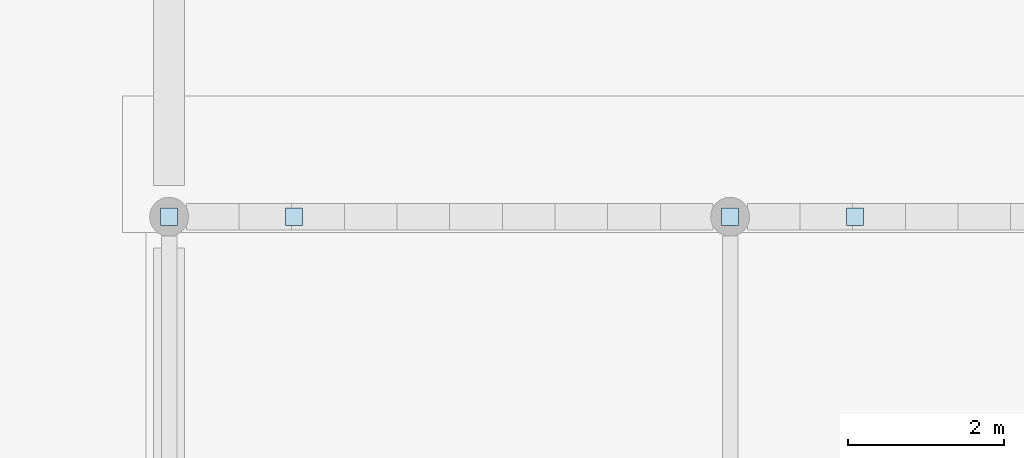
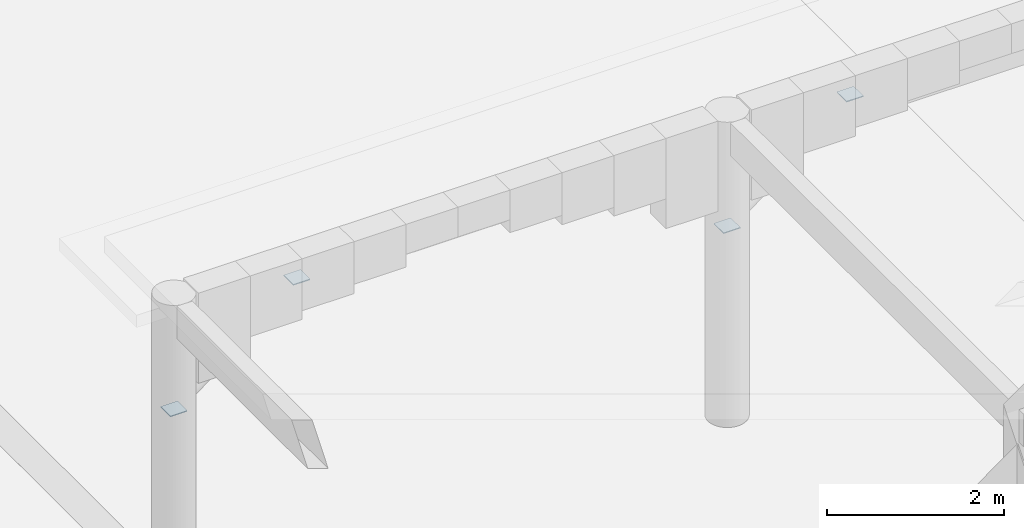
# One storey, part 51 of 85: 4 plates.
"""IFC4 building model written with IfcOpenShell, lengths in metres."""

from ifc_helpers import new_model, si_unit, direction, frame, origin, origin_2d, place, context, subcontext, project, spatial, rectangle, extrude, material, layer, layer_set, type_object, element, save


model = new_model("IFC4")

# Units and contexts
model_context = context("Model", 3, precision=1e-05, world=origin(), true_north=direction((0.0, 1.0)))
body_context = subcontext(model_context, "Body", "Model", "MODEL_VIEW")
ifc_project = project(units=[si_unit("LENGTHUNIT", "METRE"), si_unit("AREAUNIT", "SQUARE_METRE"), si_unit("VOLUMEUNIT", "CUBIC_METRE"), si_unit("PLANEANGLEUNIT", "RADIAN"), si_unit("MASSUNIT", "GRAM", prefix="KILO")], contexts=[model_context])

# Site, building, storey
site_placement = place(None, origin())
site = spatial("IfcSite", under=ifc_project, at=site_placement, CompositionType="ELEMENT")
building_placement = place(site_placement, origin())
building = spatial("IfcBuilding", under=site, at=building_placement, Name="Sardonyx Promenade Sports Hall", CompositionType="ELEMENT")
storey_placement = place(building_placement, origin())
storey = spatial("IfcBuildingStorey", under=building, at=storey_placement, Name="L00", CompositionType="ELEMENT", Elevation=0.0)

# Plates
ifc_material = material(Name="Steel S355JR", Category="steel")
ifc_layer = layer(ifc_material, 0.011962890625)
ifc_layer_set = layer_set([ifc_layer], Name="Plt_EndCap_EC3")
plate_type = type_object("IfcPlateType", Name="Plt_EndCap_EC3", PredefinedType="USERDEFINED", material=ifc_layer_set)
for number, where, z_axis, x_axis, name in (
    (1, (115.199951171875, 93.60009765625, 2.59423828125), (0.0, 0.0, 1.0), (1.0, 0.0, 0.0), "Pergola strut end-cap #6B"),
    (2, (116.800048828125, 93.60009765625, 3.84423828125), (0.0, 0.0, 1.0), (1.0, 0.0, 0.0), "Pergola strut end-cap #6T"),
    (3, (122.39990234375, 93.60009765625, 2.59423828125), (0.0, 0.0, 1.0), (1.0, 0.0, 0.0), "Pergola strut end-cap #7B"),
    (4, (124.0, 93.60009765625, 3.84423828125), (0.0, 0.0, 1.0), (1.0, 0.0, 0.0), "Pergola strut end-cap #7T"),
):
    element("IfcPlate", number, at=place(storey_placement, frame(where, z_axis=z_axis, x_axis=x_axis)), inside=storey, type_object=plate_type, Name=name, ObjectType="END CAP PLATE", PredefinedType="USERDEFINED", context=body_context, shape_type="SweptSolid", body=[
        extrude(rectangle(XDim=0.219970703125, YDim=0.219970703125, at=origin_2d()), origin(), (0.0, 0.0, 1.0), 0.011962890625),
    ])

save(model, "model.ifc")
